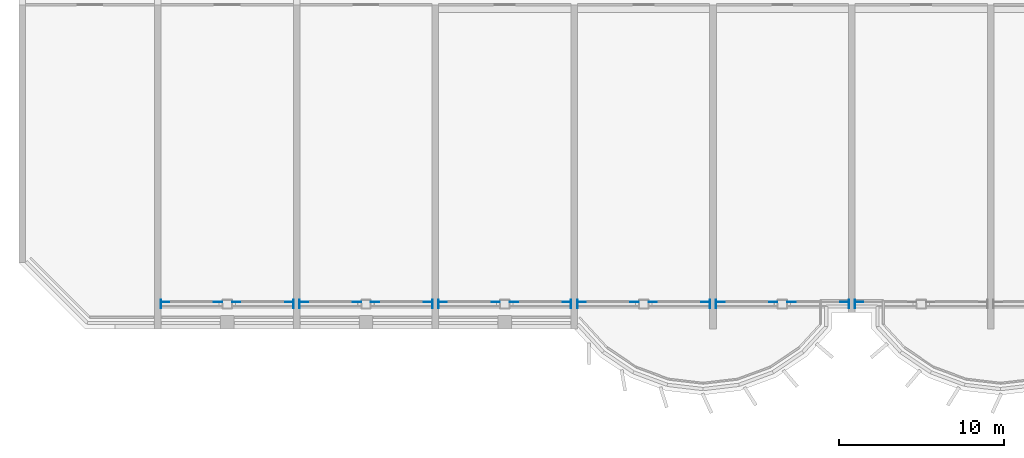
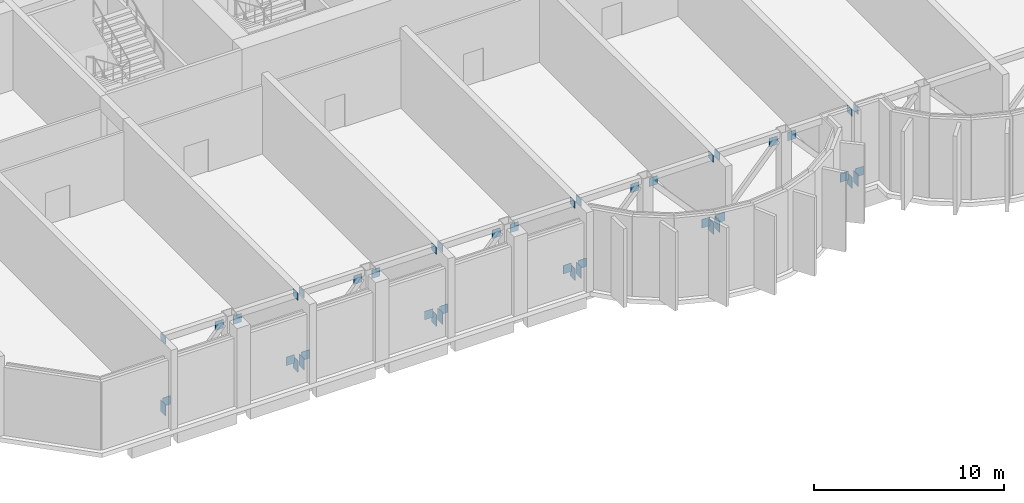
# One storey, part 10 of 17: 43 discrete accessories.
"""IFC4 building model written with IfcOpenShell, lengths in metres."""

from ifc_helpers import new_model, si_unit, direction, frame, origin, origin_2d, place, context, subcontext, project, spatial, rectangle, extrude, source, transform, mapped, material, layer, layer_set, type_object, element, save


model = new_model("IFC4")

# Units and contexts
model_context = context("Model", 3, precision=1e-05, world=origin(), true_north=direction((0.0, 1.0)))
body_context = subcontext(model_context, "Body", "Model", "MODEL_VIEW")
ifc_project = project(units=[si_unit("LENGTHUNIT", "METRE"), si_unit("AREAUNIT", "SQUARE_METRE"), si_unit("VOLUMEUNIT", "CUBIC_METRE"), si_unit("PLANEANGLEUNIT", "RADIAN"), si_unit("MASSUNIT", "GRAM", prefix="KILO")], contexts=[model_context])

# Site, building, storey
site_placement = place(None, origin())
site = spatial("IfcSite", under=ifc_project, at=site_placement, CompositionType="ELEMENT")
building_placement = place(site_placement, origin())
building = spatial("IfcBuilding", under=site, at=building_placement, Name="Vanashikhar Sky Hotel", CompositionType="ELEMENT")
storey_placement = place(building_placement, frame((0.0, 0.0, 81.0)))
storey = spatial("IfcBuildingStorey", under=building, at=storey_placement, Name="L19", CompositionType="ELEMENT", Elevation=81.0)

# Discrete accessories
ifc_material = material(Name="Steel S355", Category="steel")
ifc_layer_1 = layer(ifc_material, 0.030029296875)
ifc_layer_set_1 = layer_set([ifc_layer_1], Name="Cast-in anchor plate 500x750x30")
discrete_accessory_type_1 = type_object("IfcDiscreteAccessoryType", Name="Cast-in anchor plate 500x750x30", PredefinedType="ANCHORPLATE", material=ifc_layer_set_1)
shared_shape_1 = source(origin(), body_context, "Body", "SweptSolid", [
    extrude(rectangle(XDim=0.030029296875, YDim=0.5, at=origin_2d()), origin(), (0.0, 0.0, 1.0), 0.75),
])
for number, where, z_axis, x_axis, name in (
    (1, (8.5849609375, 1.5, 0.02490234375), (0.0, 0.0, 1.0), (1.0, 0.0, 0.0), "EP-L19-F01AB"),
    (2, (16.614990234375, 1.5, 0.02490234375), (0.0, 0.0, 1.0), (1.0, 0.0, 0.0), "EP-L19-F01BB"),
    (3, (16.985107421875, 1.5, 0.02490234375), (0.0, 0.0, 1.0), (1.0, 0.0, 0.0), "EP-L19-F02AB"),
    (4, (25.014892578125, 1.5, 0.02490234375), (0.0, 0.0, 1.0), (1.0, 0.0, 0.0), "EP-L19-F02BB"),
    (5, (25.385009765625, 1.5, 0.02490234375), (0.0, 0.0, 1.0), (1.0, 0.0, 0.0), "EP-L19-F03AB"),
    (6, (33.4150390625, 1.5, 0.02490234375), (0.0, 0.0, 1.0), (1.0, 0.0, 0.0), "EP-L19-F03BB"),
    (7, (33.784912109375, 1.5, 0.02490234375), (0.0, 0.0, 1.0), (1.0, 0.0, 0.0), "EP-L19-F04AB"),
    (8, (41.81494140625, 1.5, 0.02490234375), (0.0, 0.0, 1.0), (1.0, 0.0, 0.0), "EP-L19-F04BB"),
    (9, (42.18505859375, 1.5, 0.02490234375), (0.0, 0.0, 1.0), (1.0, 0.0, 0.0), "EP-L19-F05AB"),
    (10, (50.215087890625, 1.5, 0.02490234375), (0.0, 0.0, 1.0), (1.0, 0.0, 0.0), "EP-L19-F05BB"),
    (11, (50.5849609375, 1.5, 0.02490234375), (0.0, 0.0, 1.0), (1.0, 0.0, 0.0), "EP-L19-F06AB"),
):
    element("IfcDiscreteAccessory", number, at=place(storey_placement, frame(where, z_axis=z_axis, x_axis=x_axis)), inside=storey, type_object=discrete_accessory_type_1, Name=name, PredefinedType="ANCHORPLATE", context=body_context, shape_type="MappedRepresentation", body=[
        mapped(shared_shape_1, transform((0.0, 0.0, 0.0), scale=1.0)),
    ])
ifc_layer_2 = layer(ifc_material, 0.030029296875)
ifc_layer_set_2 = layer_set([ifc_layer_2], Name="Cast-in anchor plate 500x450x30")
discrete_accessory_type_2 = type_object("IfcDiscreteAccessoryType", Name="Cast-in anchor plate 500x450x30", PredefinedType="ANCHORPLATE", material=ifc_layer_set_2)
shared_shape_2 = source(origin(), body_context, "Body", "SweptSolid", [
    extrude(rectangle(XDim=0.030029296875, YDim=0.5, at=origin_2d()), origin(), (0.0, 0.0, 1.0), 0.449951171875),
])
for number, where, z_axis, x_axis, name in (
    (12, (8.5849609375, 1.5, 4.64501953125), (0.0, 0.0, 1.0), (1.0, 0.0, 0.0), "EP-L19-F01AT"),
    (13, (16.614990234375, 1.5, 4.64501953125), (0.0, 0.0, 1.0), (1.0, 0.0, 0.0), "EP-L19-F01BT"),
    (14, (16.985107421875, 1.5, 4.64501953125), (0.0, 0.0, 1.0), (1.0, 0.0, 0.0), "EP-L19-F02AT"),
    (15, (25.014892578125, 1.5, 4.64501953125), (0.0, 0.0, 1.0), (1.0, 0.0, 0.0), "EP-L19-F02BT"),
    (16, (25.385009765625, 1.5, 4.64501953125), (0.0, 0.0, 1.0), (1.0, 0.0, 0.0), "EP-L19-F03AT"),
    (17, (33.4150390625, 1.5, 4.64501953125), (0.0, 0.0, 1.0), (1.0, 0.0, 0.0), "EP-L19-F03BT"),
    (18, (33.784912109375, 1.5, 4.64501953125), (0.0, 0.0, 1.0), (1.0, 0.0, 0.0), "EP-L19-F04AT"),
    (19, (41.81494140625, 1.5, 4.64501953125), (0.0, 0.0, 1.0), (1.0, 0.0, 0.0), "EP-L19-F04BT"),
    (20, (42.18505859375, 1.5, 4.64501953125), (0.0, 0.0, 1.0), (1.0, 0.0, 0.0), "EP-L19-F05AT"),
    (21, (50.215087890625, 1.5, 4.64501953125), (0.0, 0.0, 1.0), (1.0, 0.0, 0.0), "EP-L19-F05BT"),
    (22, (50.5849609375, 1.5, 4.64501953125), (0.0, 0.0, 1.0), (1.0, 0.0, 0.0), "EP-L19-F06AT"),
):
    element("IfcDiscreteAccessory", number, at=place(storey_placement, frame(where, z_axis=z_axis, x_axis=x_axis)), inside=storey, type_object=discrete_accessory_type_2, Name=name, PredefinedType="ANCHORPLATE", context=body_context, shape_type="MappedRepresentation", body=[
        mapped(shared_shape_2, transform((0.0, 0.0, 0.0), scale=1.0)),
    ])
ifc_layer_3 = layer(ifc_material, 0.02490234375)
ifc_layer_set_3 = layer_set([ifc_layer_3], Name="Truss gusset plate 500x550x25")
discrete_accessory_type_3 = type_object("IfcDiscreteAccessoryType", Name="Truss gusset plate 500x550x25", PredefinedType="BRACKET", material=ifc_layer_set_3)
shared_shape_3 = source(origin(), body_context, "Body", "SweptSolid", [
    extrude(rectangle(XDim=0.5, YDim=0.02490234375, at=origin_2d()), origin(), (0.0, 0.0, 1.0), 0.550048828125),
])
for number, where, z_axis, x_axis, name in (
    (23, (8.85009765625, 1.612548828125, 0.39990234375), (0.0, 0.0, 1.0), (1.0, 0.0, 0.0), "GS-L19-F01LA"),
    (24, (12.050048828125, 1.612548828125, 4.169921875), (0.0, 0.0, 1.0), (1.0, 0.0, 0.0), "GS-L19-F01LB"),
    (25, (16.35009765625, 1.612548828125, 0.39990234375), (0.0, 0.0, 1.0), (1.0, 0.0, 0.0), "GS-L19-F01RA"),
    (26, (13.14990234375, 1.612548828125, 4.169921875), (0.0, 0.0, 1.0), (1.0, 0.0, 0.0), "GS-L19-F01RB"),
    (27, (17.25, 1.612548828125, 0.39990234375), (0.0, 0.0, 1.0), (1.0, 0.0, 0.0), "GS-L19-F02LA"),
    (28, (20.449951171875, 1.612548828125, 4.169921875), (0.0, 0.0, 1.0), (1.0, 0.0, 0.0), "GS-L19-F02LB"),
    (29, (24.75, 1.612548828125, 0.39990234375), (0.0, 0.0, 1.0), (1.0, 0.0, 0.0), "GS-L19-F02RA"),
    (30, (21.550048828125, 1.612548828125, 4.169921875), (0.0, 0.0, 1.0), (1.0, 0.0, 0.0), "GS-L19-F02RB"),
    (31, (25.64990234375, 1.612548828125, 0.39990234375), (0.0, 0.0, 1.0), (1.0, 0.0, 0.0), "GS-L19-F03LA"),
    (32, (28.85009765625, 1.612548828125, 4.169921875), (0.0, 0.0, 1.0), (1.0, 0.0, 0.0), "GS-L19-F03LB"),
    (33, (33.14990234375, 1.612548828125, 0.39990234375), (0.0, 0.0, 1.0), (1.0, 0.0, 0.0), "GS-L19-F03RA"),
    (34, (29.949951171875, 1.612548828125, 4.169921875), (0.0, 0.0, 1.0), (1.0, 0.0, 0.0), "GS-L19-F03RB"),
    (35, (34.050048828125, 1.612548828125, 0.39990234375), (0.0, 0.0, 1.0), (1.0, 0.0, 0.0), "GS-L19-F04LA"),
    (36, (37.25, 1.612548828125, 4.169921875), (0.0, 0.0, 1.0), (1.0, 0.0, 0.0), "GS-L19-F04LB"),
    (37, (41.550048828125, 1.612548828125, 0.39990234375), (0.0, 0.0, 1.0), (1.0, 0.0, 0.0), "GS-L19-F04RA"),
    (38, (38.35009765625, 1.612548828125, 4.169921875), (0.0, 0.0, 1.0), (1.0, 0.0, 0.0), "GS-L19-F04RB"),
    (39, (42.449951171875, 1.612548828125, 0.39990234375), (0.0, 0.0, 1.0), (1.0, 0.0, 0.0), "GS-L19-F05LA"),
    (40, (45.64990234375, 1.612548828125, 4.169921875), (0.0, 0.0, 1.0), (1.0, 0.0, 0.0), "GS-L19-F05LB"),
    (41, (49.949951171875, 1.612548828125, 0.39990234375), (0.0, 0.0, 1.0), (1.0, 0.0, 0.0), "GS-L19-F05RA"),
    (42, (46.75, 1.612548828125, 4.169921875), (0.0, 0.0, 1.0), (1.0, 0.0, 0.0), "GS-L19-F05RB"),
    (43, (50.85009765625, 1.612548828125, 0.39990234375), (0.0, 0.0, 1.0), (1.0, 0.0, 0.0), "GS-L19-F06LA"),
):
    element("IfcDiscreteAccessory", number, at=place(storey_placement, frame(where, z_axis=z_axis, x_axis=x_axis)), inside=storey, type_object=discrete_accessory_type_3, Name=name, PredefinedType="BRACKET", context=body_context, shape_type="MappedRepresentation", body=[
        mapped(shared_shape_3, transform((0.0, 0.0, 0.0), scale=1.0)),
    ])

save(model, "model.ifc")
